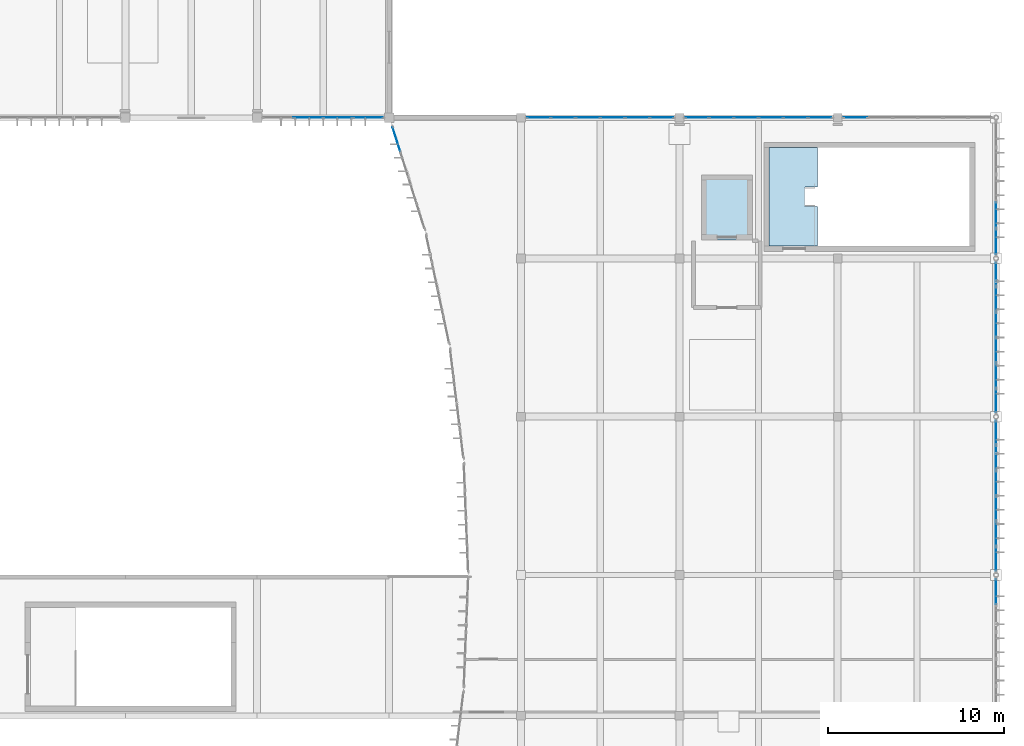
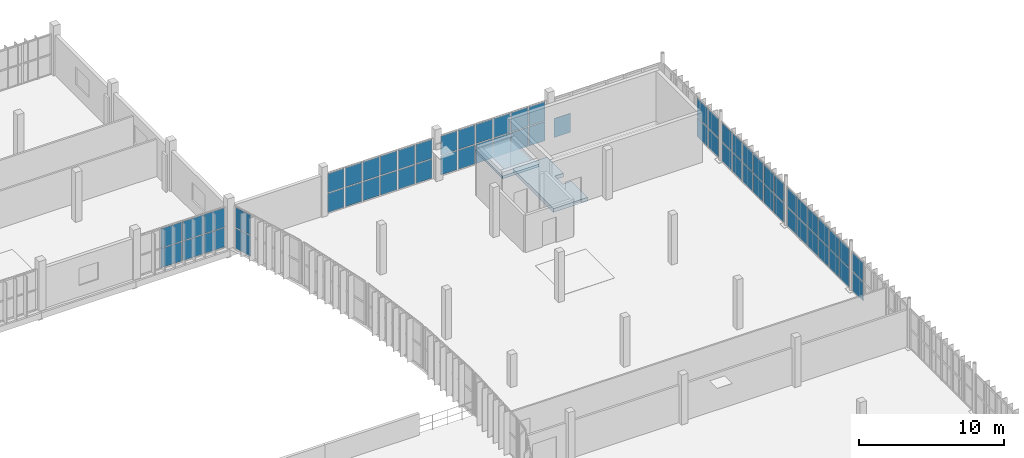
# One storey, part 38 of 61: 63 plates, 2 slabs, 9 elements without a shape of their own.
"""IFC4 building model written with IfcOpenShell, lengths in metres."""

from ifc_helpers import new_model, si_unit, direction, frame, origin, origin_2d, place, context, subcontext, project, spatial, polyline, rectangle, outline, extrude, material, layer, layer_set, type_object, element, aggregate, save


model = new_model("IFC4")

# Units and contexts
model_context = context("Model", 3, precision=1e-05, world=origin(), true_north=direction((0.0, 1.0)))
body_context = subcontext(model_context, "Body", "Model", "MODEL_VIEW")
ifc_project = project(units=[si_unit("LENGTHUNIT", "METRE"), si_unit("AREAUNIT", "SQUARE_METRE"), si_unit("VOLUMEUNIT", "CUBIC_METRE"), si_unit("PLANEANGLEUNIT", "RADIAN"), si_unit("MASSUNIT", "GRAM", prefix="KILO")], contexts=[model_context])

# Site, building, storey
site_placement = place(None, origin())
site = spatial("IfcSite", under=ifc_project, at=site_placement, CompositionType="ELEMENT")
building_placement = place(site_placement, origin())
building = spatial("IfcBuilding", under=site, at=building_placement, Name="Vourika Railside Aquatics Centre", CompositionType="ELEMENT")
storey_placement = place(building_placement, frame((0.0, 0.0, 9.300048828125)))
storey = spatial("IfcBuildingStorey", under=building, at=storey_placement, Name="L02", CompositionType="ELEMENT", Elevation=9.300048828125)

# Curtain wall, plates
ifc_material_1 = material(Name="Anodized thermally broken aluminium", Category="aluminium")
curtain_wall_type_1 = type_object("IfcCurtainWallType", Name="CW-FIT2", PredefinedType="NOTDEFINED", material=ifc_material_1)
curtain_wall_1_placement = place(storey_placement, origin())
curtain_wall_1 = element("IfcCurtainWall", 1, at=curtain_wall_1_placement, inside=storey, type_object=curtain_wall_type_1, Name="Courtyard Fitness Curtain Wall L02-13", PredefinedType="NOTDEFINED")
ifc_material_2 = material(Name="Low-E solar-control laminated double glazing", Category="glass")
ifc_layer_1 = layer(ifc_material_2, 0.02392578125, Name="CWP-FIT2")
ifc_layer_set_1 = layer_set([ifc_layer_1], Name="Low-E solar-control laminated double glazing")
plate_type_1 = type_object("IfcPlateType", Name="CWP-FIT2", PredefinedType="CURTAIN_PANEL", material=ifc_layer_set_1)
plate_1_placement = place(storey_placement, frame((128.888671875, 92.0, 0.06005859375), z_axis=(0.0, 0.0, 1.0), x_axis=(1.0, 0.0, 0.0)))
plate_1 = element("IfcPlate", 2, at=plate_1_placement, type_object=plate_type_1, Name="CW16 panel 2.1", PredefinedType="CURTAIN_PANEL", context=body_context, shape_type="SweptSolid", body=[
    extrude(rectangle(XDim=1.66259765625, YDim=0.02392578125, at=origin_2d()), origin(), (0.0, 0.0, 1.0), 1.614990234375),
])
plate_2_placement = place(storey_placement, frame((128.888671875, 92.0, 1.73486328125), z_axis=(0.0, 0.0, 1.0), x_axis=(1.0, 0.0, 0.0)))
plate_2 = element("IfcPlate", 3, at=plate_2_placement, type_object=plate_type_1, Name="CW16 panel 2.2", PredefinedType="CURTAIN_PANEL", context=body_context, shape_type="SweptSolid", body=[
    extrude(rectangle(XDim=1.66259765625, YDim=0.02392578125, at=origin_2d()), origin(), (0.0, 0.0, 1.0), 1.614990234375),
])
plate_3_placement = place(storey_placement, frame((130.611328125, 92.0, 0.06005859375), z_axis=(0.0, 0.0, 1.0), x_axis=(1.0, 0.0, 0.0)))
plate_3 = element("IfcPlate", 4, at=plate_3_placement, type_object=plate_type_1, Name="CW16 panel 3.1", PredefinedType="CURTAIN_PANEL", context=body_context, shape_type="SweptSolid", body=[
    extrude(rectangle(XDim=1.66259765625, YDim=0.02392578125, at=origin_2d()), origin(), (0.0, 0.0, 1.0), 1.614990234375),
])
plate_4_placement = place(storey_placement, frame((130.611328125, 92.0, 1.73486328125), z_axis=(0.0, 0.0, 1.0), x_axis=(1.0, 0.0, 0.0)))
plate_4 = element("IfcPlate", 5, at=plate_4_placement, type_object=plate_type_1, Name="CW16 panel 3.2", PredefinedType="CURTAIN_PANEL", context=body_context, shape_type="SweptSolid", body=[
    extrude(rectangle(XDim=1.66259765625, YDim=0.02392578125, at=origin_2d()), origin(), (0.0, 0.0, 1.0), 1.614990234375),
])
plate_5_placement = place(storey_placement, frame((132.31884765625, 92.0, 0.06005859375), z_axis=(0.0, 0.0, 1.0), x_axis=(1.0, 0.0, 0.0)))
plate_5 = element("IfcPlate", 6, at=plate_5_placement, type_object=plate_type_1, Name="CW16 panel 4.1", PredefinedType="CURTAIN_PANEL", context=body_context, shape_type="SweptSolid", body=[
    extrude(rectangle(XDim=1.632568359375, YDim=0.02392578125, at=origin_2d()), origin(), (0.0, 0.0, 1.0), 1.614990234375),
])
plate_6_placement = place(storey_placement, frame((132.31884765625, 92.0, 1.73486328125), z_axis=(0.0, 0.0, 1.0), x_axis=(1.0, 0.0, 0.0)))
plate_6 = element("IfcPlate", 7, at=plate_6_placement, type_object=plate_type_1, Name="CW16 panel 4.2", PredefinedType="CURTAIN_PANEL", context=body_context, shape_type="SweptSolid", body=[
    extrude(rectangle(XDim=1.632568359375, YDim=0.02392578125, at=origin_2d()), origin(), (0.0, 0.0, 1.0), 1.614990234375),
])
aggregate(curtain_wall_1, [plate_1, plate_2, plate_3, plate_4, plate_5, plate_6])

curtain_wall_type_2 = type_object("IfcCurtainWallType", Name="CW-FOYC2", PredefinedType="NOTDEFINED", material=ifc_material_1)
curtain_wall_2_placement = place(storey_placement, origin())
curtain_wall_2 = element("IfcCurtainWall", 8, at=curtain_wall_2_placement, inside=storey, type_object=curtain_wall_type_2, Name="Curved Courtyard Foyer Curtain Wall L02-8", PredefinedType="NOTDEFINED")
ifc_layer_2 = layer(ifc_material_2, 0.02392578125, Name="CWP-FOYC2")
ifc_layer_set_2 = layer_set([ifc_layer_2], Name="Low-E solar-control laminated double glazing")
plate_type_2 = type_object("IfcPlateType", Name="CWP-FOYC2", PredefinedType="CURTAIN_PANEL", material=ifc_layer_set_2)
plate_7_placement = place(storey_placement, frame((133.916259765625, 90.768798828125, 0.06787109375), z_axis=(0.0, 0.0, 1.0), x_axis=(0.29997424472, -0.953947300696, 0.0)))
plate_7 = element("IfcPlate", 9, at=plate_7_placement, type_object=plate_type_2, Name="CW09 panel 1.1", PredefinedType="CURTAIN_PANEL", context=body_context, shape_type="SweptSolid", body=[
    extrude(rectangle(XDim=1.43896484375, YDim=0.02392578125, at=origin_2d()), origin(), (0.0, 0.0, 1.0), 1.7080078125),
])
plate_8_placement = place(storey_placement, frame((133.916259765625, 90.768798828125, 1.843994140625), z_axis=(0.0, 0.0, 1.0), x_axis=(0.29997424472, -0.953947300696, 0.0)))
plate_8 = element("IfcPlate", 10, at=plate_8_placement, type_object=plate_type_2, Name="CW09 panel 1.2", PredefinedType="CURTAIN_PANEL", context=body_context, shape_type="SweptSolid", body=[
    extrude(rectangle(XDim=1.43896484375, YDim=0.02392578125, at=origin_2d()), origin(), (0.0, 0.0, 1.0), 1.7080078125),
])
aggregate(curtain_wall_2, [plate_7, plate_8])

curtain_wall_type_3 = type_object("IfcCurtainWallType", Name="CW-FOYE", PredefinedType="NOTDEFINED", material=ifc_material_1)
curtain_wall_3_placement = place(storey_placement, origin())
curtain_wall_3 = element("IfcCurtainWall", 11, at=curtain_wall_3_placement, inside=storey, type_object=curtain_wall_type_3, Name="East Arrival Facade Curtain Wall L02-3", PredefinedType="NOTDEFINED")
ifc_layer_3 = layer(ifc_material_2, 0.031982421875, Name="CWP-FOYE")
ifc_layer_set_3 = layer_set([ifc_layer_3], Name="Low-E solar-control laminated double glazing")
plate_type_3 = type_object("IfcPlateType", Name="CWP-FOYE", PredefinedType="CURTAIN_PANEL", material=ifc_layer_set_3)
plate_9_placement = place(storey_placement, frame((168.0, 65.048095703125, 0.07470703125), z_axis=(0.0, 0.0, 1.0), x_axis=(0.0, 1.0, 0.0)))
plate_9 = element("IfcPlate", 12, at=plate_9_placement, type_object=plate_type_3, Name="CW10 panel 5.1", PredefinedType="CURTAIN_PANEL", context=body_context, shape_type="SweptSolid", body=[
    extrude(rectangle(XDim=1.4208984375, YDim=0.031982421875, at=origin_2d()), origin(), (0.0, 0.0, 1.0), 1.572509765625),
])
plate_10_placement = place(storey_placement, frame((168.0, 65.048095703125, 1.72265625), z_axis=(0.0, 0.0, 1.0), x_axis=(0.0, 1.0, 0.0)))
plate_10 = element("IfcPlate", 13, at=plate_10_placement, type_object=plate_type_3, Name="CW10 panel 5.2", PredefinedType="CURTAIN_PANEL", context=body_context, shape_type="SweptSolid", body=[
    extrude(rectangle(XDim=1.4208984375, YDim=0.031982421875, at=origin_2d()), origin(), (0.0, 0.0, 1.0), 1.572509765625),
])
aggregate(curtain_wall_3, [plate_9, plate_10])

curtain_wall_4_placement = place(storey_placement, origin())
curtain_wall_4 = element("IfcCurtainWall", 14, at=curtain_wall_4_placement, inside=storey, type_object=curtain_wall_type_3, Name="East Arrival Facade Curtain Wall L02-4", PredefinedType="NOTDEFINED")
plate_11_placement = place(storey_placement, frame((168.0, 66.907470703125, 0.07470703125), z_axis=(0.0, 0.0, 1.0), x_axis=(0.0, 1.0, 0.0)))
plate_11 = element("IfcPlate", 15, at=plate_11_placement, type_object=plate_type_3, Name="CW10 panel 1.1", PredefinedType="CURTAIN_PANEL", context=body_context, shape_type="SweptSolid", body=[
    extrude(rectangle(XDim=1.33203125, YDim=0.031982421875, at=origin_2d()), origin(), (0.0, 0.0, 1.0), 1.572509765625),
])
plate_12_placement = place(storey_placement, frame((168.0, 66.907470703125, 1.72265625), z_axis=(0.0, 0.0, 1.0), x_axis=(0.0, 1.0, 0.0)))
plate_12 = element("IfcPlate", 16, at=plate_12_placement, type_object=plate_type_3, Name="CW10 panel 1.2", PredefinedType="CURTAIN_PANEL", context=body_context, shape_type="SweptSolid", body=[
    extrude(rectangle(XDim=1.33203125, YDim=0.031982421875, at=origin_2d()), origin(), (0.0, 0.0, 1.0), 1.572509765625),
])
plate_13_placement = place(storey_placement, frame((168.0, 68.333251953125, 0.07470703125), z_axis=(0.0, 0.0, 1.0), x_axis=(0.0, 1.0, 0.0)))
plate_13 = element("IfcPlate", 17, at=plate_13_placement, type_object=plate_type_3, Name="CW10 panel 2.1", PredefinedType="CURTAIN_PANEL", context=body_context, shape_type="SweptSolid", body=[
    extrude(rectangle(XDim=1.369384765625, YDim=0.031982421875, at=origin_2d()), origin(), (0.0, 0.0, 1.0), 1.572509765625),
])
plate_14_placement = place(storey_placement, frame((168.0, 68.333251953125, 1.72265625), z_axis=(0.0, 0.0, 1.0), x_axis=(0.0, 1.0, 0.0)))
plate_14 = element("IfcPlate", 18, at=plate_14_placement, type_object=plate_type_3, Name="CW10 panel 2.2", PredefinedType="CURTAIN_PANEL", context=body_context, shape_type="SweptSolid", body=[
    extrude(rectangle(XDim=1.369384765625, YDim=0.031982421875, at=origin_2d()), origin(), (0.0, 0.0, 1.0), 1.572509765625),
])
plate_15_placement = place(storey_placement, frame((168.0, 69.77783203125, 0.07470703125), z_axis=(0.0, 0.0, 1.0), x_axis=(0.0, 1.0, 0.0)))
plate_15 = element("IfcPlate", 19, at=plate_15_placement, type_object=plate_type_3, Name="CW10 panel 3.1", PredefinedType="CURTAIN_PANEL", context=body_context, shape_type="SweptSolid", body=[
    extrude(rectangle(XDim=1.369384765625, YDim=0.031982421875, at=origin_2d()), origin(), (0.0, 0.0, 1.0), 1.572509765625),
])
plate_16_placement = place(storey_placement, frame((168.0, 69.77783203125, 1.72265625), z_axis=(0.0, 0.0, 1.0), x_axis=(0.0, 1.0, 0.0)))
plate_16 = element("IfcPlate", 20, at=plate_16_placement, type_object=plate_type_3, Name="CW10 panel 3.2", PredefinedType="CURTAIN_PANEL", context=body_context, shape_type="SweptSolid", body=[
    extrude(rectangle(XDim=1.369384765625, YDim=0.031982421875, at=origin_2d()), origin(), (0.0, 0.0, 1.0), 1.572509765625),
])
plate_17_placement = place(storey_placement, frame((168.0, 71.22216796875, 0.07470703125), z_axis=(0.0, 0.0, 1.0), x_axis=(0.0, 1.0, 0.0)))
plate_17 = element("IfcPlate", 21, at=plate_17_placement, type_object=plate_type_3, Name="CW10 panel 4.1", PredefinedType="CURTAIN_PANEL", context=body_context, shape_type="SweptSolid", body=[
    extrude(rectangle(XDim=1.369384765625, YDim=0.031982421875, at=origin_2d()), origin(), (0.0, 0.0, 1.0), 1.572509765625),
])
plate_18_placement = place(storey_placement, frame((168.0, 71.22216796875, 1.72265625), z_axis=(0.0, 0.0, 1.0), x_axis=(0.0, 1.0, 0.0)))
plate_18 = element("IfcPlate", 22, at=plate_18_placement, type_object=plate_type_3, Name="CW10 panel 4.2", PredefinedType="CURTAIN_PANEL", context=body_context, shape_type="SweptSolid", body=[
    extrude(rectangle(XDim=1.369384765625, YDim=0.031982421875, at=origin_2d()), origin(), (0.0, 0.0, 1.0), 1.572509765625),
])
plate_19_placement = place(storey_placement, frame((168.0, 72.666748046875, 0.07470703125), z_axis=(0.0, 0.0, 1.0), x_axis=(0.0, 1.0, 0.0)))
plate_19 = element("IfcPlate", 23, at=plate_19_placement, type_object=plate_type_3, Name="CW10 panel 5.1", PredefinedType="CURTAIN_PANEL", context=body_context, shape_type="SweptSolid", body=[
    extrude(rectangle(XDim=1.369384765625, YDim=0.031982421875, at=origin_2d()), origin(), (0.0, 0.0, 1.0), 1.572509765625),
])
plate_20_placement = place(storey_placement, frame((168.0, 72.666748046875, 1.72265625), z_axis=(0.0, 0.0, 1.0), x_axis=(0.0, 1.0, 0.0)))
plate_20 = element("IfcPlate", 24, at=plate_20_placement, type_object=plate_type_3, Name="CW10 panel 5.2", PredefinedType="CURTAIN_PANEL", context=body_context, shape_type="SweptSolid", body=[
    extrude(rectangle(XDim=1.369384765625, YDim=0.031982421875, at=origin_2d()), origin(), (0.0, 0.0, 1.0), 1.572509765625),
])
plate_21_placement = place(storey_placement, frame((168.0, 74.092529296875, 0.07470703125), z_axis=(0.0, 0.0, 1.0), x_axis=(0.0, 1.0, 0.0)))
plate_21 = element("IfcPlate", 25, at=plate_21_placement, type_object=plate_type_3, Name="CW10 panel 6.1", PredefinedType="CURTAIN_PANEL", context=body_context, shape_type="SweptSolid", body=[
    extrude(rectangle(XDim=1.33203125, YDim=0.031982421875, at=origin_2d()), origin(), (0.0, 0.0, 1.0), 1.572509765625),
])
plate_22_placement = place(storey_placement, frame((168.0, 74.092529296875, 1.72265625), z_axis=(0.0, 0.0, 1.0), x_axis=(0.0, 1.0, 0.0)))
plate_22 = element("IfcPlate", 26, at=plate_22_placement, type_object=plate_type_3, Name="CW10 panel 6.2", PredefinedType="CURTAIN_PANEL", context=body_context, shape_type="SweptSolid", body=[
    extrude(rectangle(XDim=1.33203125, YDim=0.031982421875, at=origin_2d()), origin(), (0.0, 0.0, 1.0), 1.572509765625),
])
aggregate(curtain_wall_4, [plate_11, plate_12, plate_13, plate_14, plate_15, plate_16, plate_17, plate_18, plate_19, plate_20, plate_21, plate_22])

curtain_wall_5_placement = place(storey_placement, origin())
curtain_wall_5 = element("IfcCurtainWall", 27, at=curtain_wall_5_placement, inside=storey, type_object=curtain_wall_type_3, Name="East Arrival Facade Curtain Wall L02-5", PredefinedType="NOTDEFINED")
plate_23_placement = place(storey_placement, frame((168.0, 75.907470703125, 0.07470703125), z_axis=(0.0, 0.0, 1.0), x_axis=(0.0, 1.0, 0.0)))
plate_23 = element("IfcPlate", 28, at=plate_23_placement, type_object=plate_type_3, Name="CW10 panel 1.1", PredefinedType="CURTAIN_PANEL", context=body_context, shape_type="SweptSolid", body=[
    extrude(rectangle(XDim=1.33203125, YDim=0.031982421875, at=origin_2d()), origin(), (0.0, 0.0, 1.0), 1.572509765625),
])
plate_24_placement = place(storey_placement, frame((168.0, 75.907470703125, 1.72265625), z_axis=(0.0, 0.0, 1.0), x_axis=(0.0, 1.0, 0.0)))
plate_24 = element("IfcPlate", 29, at=plate_24_placement, type_object=plate_type_3, Name="CW10 panel 1.2", PredefinedType="CURTAIN_PANEL", context=body_context, shape_type="SweptSolid", body=[
    extrude(rectangle(XDim=1.33203125, YDim=0.031982421875, at=origin_2d()), origin(), (0.0, 0.0, 1.0), 1.572509765625),
])
plate_25_placement = place(storey_placement, frame((168.0, 77.333251953125, 0.07470703125), z_axis=(0.0, 0.0, 1.0), x_axis=(0.0, 1.0, 0.0)))
plate_25 = element("IfcPlate", 30, at=plate_25_placement, type_object=plate_type_3, Name="CW10 panel 2.1", PredefinedType="CURTAIN_PANEL", context=body_context, shape_type="SweptSolid", body=[
    extrude(rectangle(XDim=1.369384765625, YDim=0.031982421875, at=origin_2d()), origin(), (0.0, 0.0, 1.0), 1.572509765625),
])
plate_26_placement = place(storey_placement, frame((168.0, 77.333251953125, 1.72265625), z_axis=(0.0, 0.0, 1.0), x_axis=(0.0, 1.0, 0.0)))
plate_26 = element("IfcPlate", 31, at=plate_26_placement, type_object=plate_type_3, Name="CW10 panel 2.2", PredefinedType="CURTAIN_PANEL", context=body_context, shape_type="SweptSolid", body=[
    extrude(rectangle(XDim=1.369384765625, YDim=0.031982421875, at=origin_2d()), origin(), (0.0, 0.0, 1.0), 1.572509765625),
])
plate_27_placement = place(storey_placement, frame((168.0, 78.77783203125, 0.07470703125), z_axis=(0.0, 0.0, 1.0), x_axis=(0.0, 1.0, 0.0)))
plate_27 = element("IfcPlate", 32, at=plate_27_placement, type_object=plate_type_3, Name="CW10 panel 3.1", PredefinedType="CURTAIN_PANEL", context=body_context, shape_type="SweptSolid", body=[
    extrude(rectangle(XDim=1.369384765625, YDim=0.031982421875, at=origin_2d()), origin(), (0.0, 0.0, 1.0), 1.572509765625),
])
plate_28_placement = place(storey_placement, frame((168.0, 78.77783203125, 1.72265625), z_axis=(0.0, 0.0, 1.0), x_axis=(0.0, 1.0, 0.0)))
plate_28 = element("IfcPlate", 33, at=plate_28_placement, type_object=plate_type_3, Name="CW10 panel 3.2", PredefinedType="CURTAIN_PANEL", context=body_context, shape_type="SweptSolid", body=[
    extrude(rectangle(XDim=1.369384765625, YDim=0.031982421875, at=origin_2d()), origin(), (0.0, 0.0, 1.0), 1.572509765625),
])
plate_29_placement = place(storey_placement, frame((168.0, 80.22216796875, 0.07470703125), z_axis=(0.0, 0.0, 1.0), x_axis=(0.0, 1.0, 0.0)))
plate_29 = element("IfcPlate", 34, at=plate_29_placement, type_object=plate_type_3, Name="CW10 panel 4.1", PredefinedType="CURTAIN_PANEL", context=body_context, shape_type="SweptSolid", body=[
    extrude(rectangle(XDim=1.369384765625, YDim=0.031982421875, at=origin_2d()), origin(), (0.0, 0.0, 1.0), 1.572509765625),
])
plate_30_placement = place(storey_placement, frame((168.0, 80.22216796875, 1.72265625), z_axis=(0.0, 0.0, 1.0), x_axis=(0.0, 1.0, 0.0)))
plate_30 = element("IfcPlate", 35, at=plate_30_placement, type_object=plate_type_3, Name="CW10 panel 4.2", PredefinedType="CURTAIN_PANEL", context=body_context, shape_type="SweptSolid", body=[
    extrude(rectangle(XDim=1.369384765625, YDim=0.031982421875, at=origin_2d()), origin(), (0.0, 0.0, 1.0), 1.572509765625),
])
plate_31_placement = place(storey_placement, frame((168.0, 81.666748046875, 0.07470703125), z_axis=(0.0, 0.0, 1.0), x_axis=(0.0, 1.0, 0.0)))
plate_31 = element("IfcPlate", 36, at=plate_31_placement, type_object=plate_type_3, Name="CW10 panel 5.1", PredefinedType="CURTAIN_PANEL", context=body_context, shape_type="SweptSolid", body=[
    extrude(rectangle(XDim=1.369384765625, YDim=0.031982421875, at=origin_2d()), origin(), (0.0, 0.0, 1.0), 1.572509765625),
])
plate_32_placement = place(storey_placement, frame((168.0, 81.666748046875, 1.72265625), z_axis=(0.0, 0.0, 1.0), x_axis=(0.0, 1.0, 0.0)))
plate_32 = element("IfcPlate", 37, at=plate_32_placement, type_object=plate_type_3, Name="CW10 panel 5.2", PredefinedType="CURTAIN_PANEL", context=body_context, shape_type="SweptSolid", body=[
    extrude(rectangle(XDim=1.369384765625, YDim=0.031982421875, at=origin_2d()), origin(), (0.0, 0.0, 1.0), 1.572509765625),
])
plate_33_placement = place(storey_placement, frame((168.0, 83.092529296875, 0.07470703125), z_axis=(0.0, 0.0, 1.0), x_axis=(0.0, 1.0, 0.0)))
plate_33 = element("IfcPlate", 38, at=plate_33_placement, type_object=plate_type_3, Name="CW10 panel 6.1", PredefinedType="CURTAIN_PANEL", context=body_context, shape_type="SweptSolid", body=[
    extrude(rectangle(XDim=1.33203125, YDim=0.031982421875, at=origin_2d()), origin(), (0.0, 0.0, 1.0), 1.572509765625),
])
plate_34_placement = place(storey_placement, frame((168.0, 83.092529296875, 1.72265625), z_axis=(0.0, 0.0, 1.0), x_axis=(0.0, 1.0, 0.0)))
plate_34 = element("IfcPlate", 39, at=plate_34_placement, type_object=plate_type_3, Name="CW10 panel 6.2", PredefinedType="CURTAIN_PANEL", context=body_context, shape_type="SweptSolid", body=[
    extrude(rectangle(XDim=1.33203125, YDim=0.031982421875, at=origin_2d()), origin(), (0.0, 0.0, 1.0), 1.572509765625),
])
aggregate(curtain_wall_5, [plate_23, plate_24, plate_25, plate_26, plate_27, plate_28, plate_29, plate_30, plate_31, plate_32, plate_33, plate_34])

curtain_wall_6_placement = place(storey_placement, origin())
curtain_wall_6 = element("IfcCurtainWall", 40, at=curtain_wall_6_placement, inside=storey, type_object=curtain_wall_type_3, Name="East Arrival Facade Curtain Wall L02-6", PredefinedType="NOTDEFINED")
plate_35_placement = place(storey_placement, frame((168.0, 84.951904296875, 0.07470703125), z_axis=(0.0, 0.0, 1.0), x_axis=(0.0, 1.0, 0.0)))
plate_35 = element("IfcPlate", 41, at=plate_35_placement, type_object=plate_type_3, Name="CW10 panel 1.1", PredefinedType="CURTAIN_PANEL", context=body_context, shape_type="SweptSolid", body=[
    extrude(rectangle(XDim=1.4208984375, YDim=0.031982421875, at=origin_2d()), origin(), (0.0, 0.0, 1.0), 1.572509765625),
])
plate_36_placement = place(storey_placement, frame((168.0, 84.951904296875, 1.72265625), z_axis=(0.0, 0.0, 1.0), x_axis=(0.0, 1.0, 0.0)))
plate_36 = element("IfcPlate", 42, at=plate_36_placement, type_object=plate_type_3, Name="CW10 panel 1.2", PredefinedType="CURTAIN_PANEL", context=body_context, shape_type="SweptSolid", body=[
    extrude(rectangle(XDim=1.4208984375, YDim=0.031982421875, at=origin_2d()), origin(), (0.0, 0.0, 1.0), 1.572509765625),
])
plate_37_placement = place(storey_placement, frame((168.0, 86.466552734375, 0.07470703125), z_axis=(0.0, 0.0, 1.0), x_axis=(0.0, 1.0, 0.0)))
plate_37 = element("IfcPlate", 43, at=plate_37_placement, type_object=plate_type_3, Name="CW10 panel 2.1", PredefinedType="CURTAIN_PANEL", context=body_context, shape_type="SweptSolid", body=[
    extrude(rectangle(XDim=1.45849609375, YDim=0.031982421875, at=origin_2d()), origin(), (0.0, 0.0, 1.0), 1.572509765625),
])
plate_38_placement = place(storey_placement, frame((168.0, 86.466552734375, 1.72265625), z_axis=(0.0, 0.0, 1.0), x_axis=(0.0, 1.0, 0.0)))
plate_38 = element("IfcPlate", 44, at=plate_38_placement, type_object=plate_type_3, Name="CW10 panel 2.2", PredefinedType="CURTAIN_PANEL", context=body_context, shape_type="SweptSolid", body=[
    extrude(rectangle(XDim=1.45849609375, YDim=0.031982421875, at=origin_2d()), origin(), (0.0, 0.0, 1.0), 1.572509765625),
])
aggregate(curtain_wall_6, [plate_35, plate_36, plate_37, plate_38])

curtain_wall_type_4 = type_object("IfcCurtainWallType", Name="CW-FOYS", PredefinedType="NOTDEFINED", material=ifc_material_1)
curtain_wall_7_placement = place(storey_placement, origin())
curtain_wall_7 = element("IfcCurtainWall", 45, at=curtain_wall_7_placement, inside=storey, type_object=curtain_wall_type_4, Name="Foyer North Glazed Facade L02-1", PredefinedType="NOTDEFINED")
ifc_layer_4 = layer(ifc_material_2, 0.031982421875, Name="CWP-FOYS")
ifc_layer_set_4 = layer_set([ifc_layer_4], Name="Low-E solar-control laminated double glazing")
plate_type_4 = type_object("IfcPlateType", Name="CWP-FOYS", PredefinedType="CURTAIN_PANEL", material=ifc_layer_set_4)
plate_39_placement = place(storey_placement, frame((148.998779296875, 92.0, 0.07177734375), z_axis=(0.0, 0.0, 1.0), x_axis=(-1.0, 0.0, 0.0)))
plate_39 = element("IfcPlate", 46, at=plate_39_placement, type_object=plate_type_4, Name="CW11 panel 1.1", PredefinedType="CURTAIN_PANEL", context=body_context, shape_type="SweptSolid", body=[
    extrude(rectangle(XDim=1.298583984375, YDim=0.031982421875, at=origin_2d()), origin(), (0.0, 0.0, 1.0), 1.596923828125),
])
plate_40_placement = place(storey_placement, frame((148.998779296875, 92.0, 1.7412109375), z_axis=(0.0, 0.0, 1.0), x_axis=(-1.0, 0.0, 0.0)))
plate_40 = element("IfcPlate", 47, at=plate_40_placement, type_object=plate_type_4, Name="CW11 panel 1.2", PredefinedType="CURTAIN_PANEL", context=body_context, shape_type="SweptSolid", body=[
    extrude(rectangle(XDim=1.298583984375, YDim=0.031982421875, at=origin_2d()), origin(), (0.0, 0.0, 1.0), 1.596923828125),
])
plate_41_placement = place(storey_placement, frame((147.610107421875, 92.0, 0.07177734375), z_axis=(0.0, 0.0, 1.0), x_axis=(-1.0, 0.0, 0.0)))
plate_41 = element("IfcPlate", 48, at=plate_41_placement, type_object=plate_type_4, Name="CW11 panel 2.1", PredefinedType="CURTAIN_PANEL", context=body_context, shape_type="SweptSolid", body=[
    extrude(rectangle(XDim=1.334716796875, YDim=0.031982421875, at=origin_2d()), origin(), (0.0, 0.0, 1.0), 1.596923828125),
])
plate_42_placement = place(storey_placement, frame((147.610107421875, 92.0, 1.7412109375), z_axis=(0.0, 0.0, 1.0), x_axis=(-1.0, 0.0, 0.0)))
plate_42 = element("IfcPlate", 49, at=plate_42_placement, type_object=plate_type_4, Name="CW11 panel 2.2", PredefinedType="CURTAIN_PANEL", context=body_context, shape_type="SweptSolid", body=[
    extrude(rectangle(XDim=1.334716796875, YDim=0.031982421875, at=origin_2d()), origin(), (0.0, 0.0, 1.0), 1.596923828125),
])
plate_43_placement = place(storey_placement, frame((146.203369140625, 92.0, 0.07177734375), z_axis=(0.0, 0.0, 1.0), x_axis=(-1.0, 0.0, 0.0)))
plate_43 = element("IfcPlate", 50, at=plate_43_placement, type_object=plate_type_4, Name="CW11 panel 3.1", PredefinedType="CURTAIN_PANEL", context=body_context, shape_type="SweptSolid", body=[
    extrude(rectangle(XDim=1.334716796875, YDim=0.031982421875, at=origin_2d()), origin(), (0.0, 0.0, 1.0), 1.596923828125),
])
plate_44_placement = place(storey_placement, frame((146.203369140625, 92.0, 1.7412109375), z_axis=(0.0, 0.0, 1.0), x_axis=(-1.0, 0.0, 0.0)))
plate_44 = element("IfcPlate", 51, at=plate_44_placement, type_object=plate_type_4, Name="CW11 panel 3.2", PredefinedType="CURTAIN_PANEL", context=body_context, shape_type="SweptSolid", body=[
    extrude(rectangle(XDim=1.334716796875, YDim=0.031982421875, at=origin_2d()), origin(), (0.0, 0.0, 1.0), 1.596923828125),
])
plate_45_placement = place(storey_placement, frame((144.796630859375, 92.0, 0.07177734375), z_axis=(0.0, 0.0, 1.0), x_axis=(-1.0, 0.0, 0.0)))
plate_45 = element("IfcPlate", 52, at=plate_45_placement, type_object=plate_type_4, Name="CW11 panel 4.1", PredefinedType="CURTAIN_PANEL", context=body_context, shape_type="SweptSolid", body=[
    extrude(rectangle(XDim=1.334716796875, YDim=0.031982421875, at=origin_2d()), origin(), (0.0, 0.0, 1.0), 1.596923828125),
])
plate_46_placement = place(storey_placement, frame((144.796630859375, 92.0, 1.7412109375), z_axis=(0.0, 0.0, 1.0), x_axis=(-1.0, 0.0, 0.0)))
plate_46 = element("IfcPlate", 53, at=plate_46_placement, type_object=plate_type_4, Name="CW11 panel 4.2", PredefinedType="CURTAIN_PANEL", context=body_context, shape_type="SweptSolid", body=[
    extrude(rectangle(XDim=1.334716796875, YDim=0.031982421875, at=origin_2d()), origin(), (0.0, 0.0, 1.0), 1.596923828125),
])
plate_47_placement = place(storey_placement, frame((143.389892578125, 92.0, 0.07177734375), z_axis=(0.0, 0.0, 1.0), x_axis=(-1.0, 0.0, 0.0)))
plate_47 = element("IfcPlate", 54, at=plate_47_placement, type_object=plate_type_4, Name="CW11 panel 5.1", PredefinedType="CURTAIN_PANEL", context=body_context, shape_type="SweptSolid", body=[
    extrude(rectangle(XDim=1.334716796875, YDim=0.031982421875, at=origin_2d()), origin(), (0.0, 0.0, 1.0), 1.596923828125),
])
plate_48_placement = place(storey_placement, frame((143.389892578125, 92.0, 1.7412109375), z_axis=(0.0, 0.0, 1.0), x_axis=(-1.0, 0.0, 0.0)))
plate_48 = element("IfcPlate", 55, at=plate_48_placement, type_object=plate_type_4, Name="CW11 panel 5.2", PredefinedType="CURTAIN_PANEL", context=body_context, shape_type="SweptSolid", body=[
    extrude(rectangle(XDim=1.334716796875, YDim=0.031982421875, at=origin_2d()), origin(), (0.0, 0.0, 1.0), 1.596923828125),
])
plate_49_placement = place(storey_placement, frame((142.001220703125, 92.0, 0.07177734375), z_axis=(0.0, 0.0, 1.0), x_axis=(-1.0, 0.0, 0.0)))
plate_49 = element("IfcPlate", 56, at=plate_49_placement, type_object=plate_type_4, Name="CW11 panel 6.1", PredefinedType="CURTAIN_PANEL", context=body_context, shape_type="SweptSolid", body=[
    extrude(rectangle(XDim=1.298583984375, YDim=0.031982421875, at=origin_2d()), origin(), (0.0, 0.0, 1.0), 1.596923828125),
])
plate_50_placement = place(storey_placement, frame((142.001220703125, 92.0, 1.7412109375), z_axis=(0.0, 0.0, 1.0), x_axis=(-1.0, 0.0, 0.0)))
plate_50 = element("IfcPlate", 57, at=plate_50_placement, type_object=plate_type_4, Name="CW11 panel 6.2", PredefinedType="CURTAIN_PANEL", context=body_context, shape_type="SweptSolid", body=[
    extrude(rectangle(XDim=1.298583984375, YDim=0.031982421875, at=origin_2d()), origin(), (0.0, 0.0, 1.0), 1.596923828125),
])
aggregate(curtain_wall_7, [plate_39, plate_40, plate_41, plate_42, plate_43, plate_44, plate_45, plate_46, plate_47, plate_48, plate_49, plate_50])

curtain_wall_8_placement = place(storey_placement, origin())
curtain_wall_8 = element("IfcCurtainWall", 58, at=curtain_wall_8_placement, inside=storey, type_object=curtain_wall_type_4, Name="Foyer North Glazed Facade L02-2", PredefinedType="NOTDEFINED")
plate_51_placement = place(storey_placement, frame((157.998779296875, 92.0, 0.072021484375), z_axis=(0.0, 0.0, 1.0), x_axis=(-1.0, 0.0, 0.0)))
plate_51 = element("IfcPlate", 59, at=plate_51_placement, type_object=plate_type_4, Name="CW11 panel 1.1", PredefinedType="CURTAIN_PANEL", context=body_context, shape_type="SweptSolid", body=[
    extrude(rectangle(XDim=1.298583984375, YDim=0.031982421875, at=origin_2d()), origin(), (0.0, 0.0, 1.0), 1.60205078125),
])
plate_52_placement = place(storey_placement, frame((157.998779296875, 92.0, 1.745849609375), z_axis=(0.0, 0.0, 1.0), x_axis=(-1.0, 0.0, 0.0)))
plate_52 = element("IfcPlate", 60, at=plate_52_placement, type_object=plate_type_4, Name="CW11 panel 1.2", PredefinedType="CURTAIN_PANEL", context=body_context, shape_type="SweptSolid", body=[
    extrude(rectangle(XDim=1.298583984375, YDim=0.031982421875, at=origin_2d()), origin(), (0.0, 0.0, 1.0), 1.60205078125),
])
plate_53_placement = place(storey_placement, frame((156.610107421875, 92.0, 0.072021484375), z_axis=(0.0, 0.0, 1.0), x_axis=(-1.0, 0.0, 0.0)))
plate_53 = element("IfcPlate", 61, at=plate_53_placement, type_object=plate_type_4, Name="CW11 panel 2.1", PredefinedType="CURTAIN_PANEL", context=body_context, shape_type="SweptSolid", body=[
    extrude(rectangle(XDim=1.334716796875, YDim=0.031982421875, at=origin_2d()), origin(), (0.0, 0.0, 1.0), 1.60205078125),
])
plate_54_placement = place(storey_placement, frame((156.610107421875, 92.0, 1.745849609375), z_axis=(0.0, 0.0, 1.0), x_axis=(-1.0, 0.0, 0.0)))
plate_54 = element("IfcPlate", 62, at=plate_54_placement, type_object=plate_type_4, Name="CW11 panel 2.2", PredefinedType="CURTAIN_PANEL", context=body_context, shape_type="SweptSolid", body=[
    extrude(rectangle(XDim=1.334716796875, YDim=0.031982421875, at=origin_2d()), origin(), (0.0, 0.0, 1.0), 1.60205078125),
])
plate_55_placement = place(storey_placement, frame((155.203369140625, 92.0, 0.072021484375), z_axis=(0.0, 0.0, 1.0), x_axis=(-1.0, 0.0, 0.0)))
plate_55 = element("IfcPlate", 63, at=plate_55_placement, type_object=plate_type_4, Name="CW11 panel 3.1", PredefinedType="CURTAIN_PANEL", context=body_context, shape_type="SweptSolid", body=[
    extrude(rectangle(XDim=1.334716796875, YDim=0.031982421875, at=origin_2d()), origin(), (0.0, 0.0, 1.0), 1.60205078125),
])
plate_56_placement = place(storey_placement, frame((155.203369140625, 92.0, 1.745849609375), z_axis=(0.0, 0.0, 1.0), x_axis=(-1.0, 0.0, 0.0)))
plate_56 = element("IfcPlate", 64, at=plate_56_placement, type_object=plate_type_4, Name="CW11 panel 3.2", PredefinedType="CURTAIN_PANEL", context=body_context, shape_type="SweptSolid", body=[
    extrude(rectangle(XDim=1.334716796875, YDim=0.031982421875, at=origin_2d()), origin(), (0.0, 0.0, 1.0), 1.60205078125),
])
plate_57_placement = place(storey_placement, frame((153.796630859375, 92.0, 0.072021484375), z_axis=(0.0, 0.0, 1.0), x_axis=(-1.0, 0.0, 0.0)))
plate_57 = element("IfcPlate", 65, at=plate_57_placement, type_object=plate_type_4, Name="CW11 panel 4.1", PredefinedType="CURTAIN_PANEL", context=body_context, shape_type="SweptSolid", body=[
    extrude(rectangle(XDim=1.334716796875, YDim=0.031982421875, at=origin_2d()), origin(), (0.0, 0.0, 1.0), 1.60205078125),
])
plate_58_placement = place(storey_placement, frame((153.796630859375, 92.0, 1.745849609375), z_axis=(0.0, 0.0, 1.0), x_axis=(-1.0, 0.0, 0.0)))
plate_58 = element("IfcPlate", 66, at=plate_58_placement, type_object=plate_type_4, Name="CW11 panel 4.2", PredefinedType="CURTAIN_PANEL", context=body_context, shape_type="SweptSolid", body=[
    extrude(rectangle(XDim=1.334716796875, YDim=0.031982421875, at=origin_2d()), origin(), (0.0, 0.0, 1.0), 1.60205078125),
])
plate_59_placement = place(storey_placement, frame((152.389892578125, 92.0, 0.072021484375), z_axis=(0.0, 0.0, 1.0), x_axis=(-1.0, 0.0, 0.0)))
plate_59 = element("IfcPlate", 67, at=plate_59_placement, type_object=plate_type_4, Name="CW11 panel 5.1", PredefinedType="CURTAIN_PANEL", context=body_context, shape_type="SweptSolid", body=[
    extrude(rectangle(XDim=1.334716796875, YDim=0.031982421875, at=origin_2d()), origin(), (0.0, 0.0, 1.0), 1.60205078125),
])
plate_60_placement = place(storey_placement, frame((152.389892578125, 92.0, 1.745849609375), z_axis=(0.0, 0.0, 1.0), x_axis=(-1.0, 0.0, 0.0)))
plate_60 = element("IfcPlate", 68, at=plate_60_placement, type_object=plate_type_4, Name="CW11 panel 5.2", PredefinedType="CURTAIN_PANEL", context=body_context, shape_type="SweptSolid", body=[
    extrude(rectangle(XDim=1.334716796875, YDim=0.031982421875, at=origin_2d()), origin(), (0.0, 0.0, 1.0), 1.60205078125),
])
plate_61_placement = place(storey_placement, frame((151.001220703125, 92.0, 0.072021484375), z_axis=(0.0, 0.0, 1.0), x_axis=(-1.0, 0.0, 0.0)))
plate_61 = element("IfcPlate", 69, at=plate_61_placement, type_object=plate_type_4, Name="CW11 panel 6.1", PredefinedType="CURTAIN_PANEL", context=body_context, shape_type="SweptSolid", body=[
    extrude(rectangle(XDim=1.298583984375, YDim=0.031982421875, at=origin_2d()), origin(), (0.0, 0.0, 1.0), 1.60205078125),
])
plate_62_placement = place(storey_placement, frame((151.001220703125, 92.0, 1.745849609375), z_axis=(0.0, 0.0, 1.0), x_axis=(-1.0, 0.0, 0.0)))
plate_62 = element("IfcPlate", 70, at=plate_62_placement, type_object=plate_type_4, Name="CW11 panel 6.2", PredefinedType="CURTAIN_PANEL", context=body_context, shape_type="SweptSolid", body=[
    extrude(rectangle(XDim=1.298583984375, YDim=0.031982421875, at=origin_2d()), origin(), (0.0, 0.0, 1.0), 1.60205078125),
])
aggregate(curtain_wall_8, [plate_51, plate_52, plate_53, plate_54, plate_55, plate_56, plate_57, plate_58, plate_59, plate_60, plate_61, plate_62])

# Curtain wall, plate
curtain_wall_9_placement = place(storey_placement, origin())
curtain_wall_9 = element("IfcCurtainWall", 71, at=curtain_wall_9_placement, inside=storey, type_object=curtain_wall_type_4, Name="Foyer North Glazed Facade L02-3", PredefinedType="NOTDEFINED")
plate_63_placement = place(storey_placement, frame((160.0107421875, 92.0, 0.072021484375), z_axis=(0.0, 0.0, 1.0), x_axis=(-1.0, 0.0, 0.0)))
plate_63 = element("IfcPlate", 72, at=plate_63_placement, type_object=plate_type_4, Name="CW11 panel 6.1", PredefinedType="CURTAIN_PANEL", context=body_context, shape_type="SweptSolid", body=[
    extrude(rectangle(XDim=1.317626953125, YDim=0.031982421875, at=origin_2d()), origin(), (0.0, 0.0, 1.0), 1.60205078125),
])
aggregate(curtain_wall_9, [plate_63])

# Slabs
ifc_material_3 = material(Name="Concrete C35/45", Category="concrete")
ifc_layer_5 = layer(ifc_material_3, 0.31005859375, Name="SLB-CORE-310")
ifc_layer_set_5 = layer_set([ifc_layer_5], Name="Concrete C35/45")
slab_type_1 = type_object("IfcSlabType", Name="SLB-CORE-310", PredefinedType="FLOOR", material=ifc_layer_set_5)
slab_1_placement = place(storey_placement, frame((0.0, 0.0, -0.31005859375)))
element("IfcSlab", 73, at=slab_1_placement, inside=storey, type_object=slab_type_1, Name="Protected Exit Stair Core ST05 Core Floor Landing (L02)", PredefinedType="FLOOR", context=body_context, shape_type="SweptSolid", body=[
    extrude(outline(polyline([(155.10009765625, 84.699951171875), (157.840087890625, 84.699951171875), (157.840087890625, 86.949951171875), (157.14990234375, 86.949951171875), (157.14990234375, 88.050048828125), (157.840087890625, 88.050048828125), (157.840087890625, 90.300048828125), (155.10009765625, 90.300048828125), (155.10009765625, 84.699951171875)])), origin(), (0.0, 0.0, 1.0), 0.31005859375),
])
ifc_material_4 = material(Name="Concrete C40/50", Category="concrete")
ifc_layer_6 = layer(ifc_material_4, 0.22998046875, Name="SLB-SHCAP-230")
ifc_layer_set_6 = layer_set([ifc_layer_6], Name="Concrete C40/50")
slab_type_2 = type_object("IfcSlabType", Name="SLB-SHCAP-230", PredefinedType="ROOF", material=ifc_layer_set_6)
slab_2_placement = place(storey_placement, frame((0.0, 0.0, 3.64990234375)))
element("IfcSlab", 74, at=slab_2_placement, inside=storey, type_object=slab_type_2, Name="Lift LP01 Overrun Cap Slab", PredefinedType="ROOF", context=body_context, shape_type="SweptSolid", body=[
    extrude(outline(polyline([(151.25, 85.050048828125), (154.14990234375, 85.050048828125), (154.14990234375, 88.75), (151.25, 88.75), (151.25, 85.050048828125)])), origin(), (0.0, 0.0, 1.0), 0.22998046875),
])

save(model, "model.ifc")
